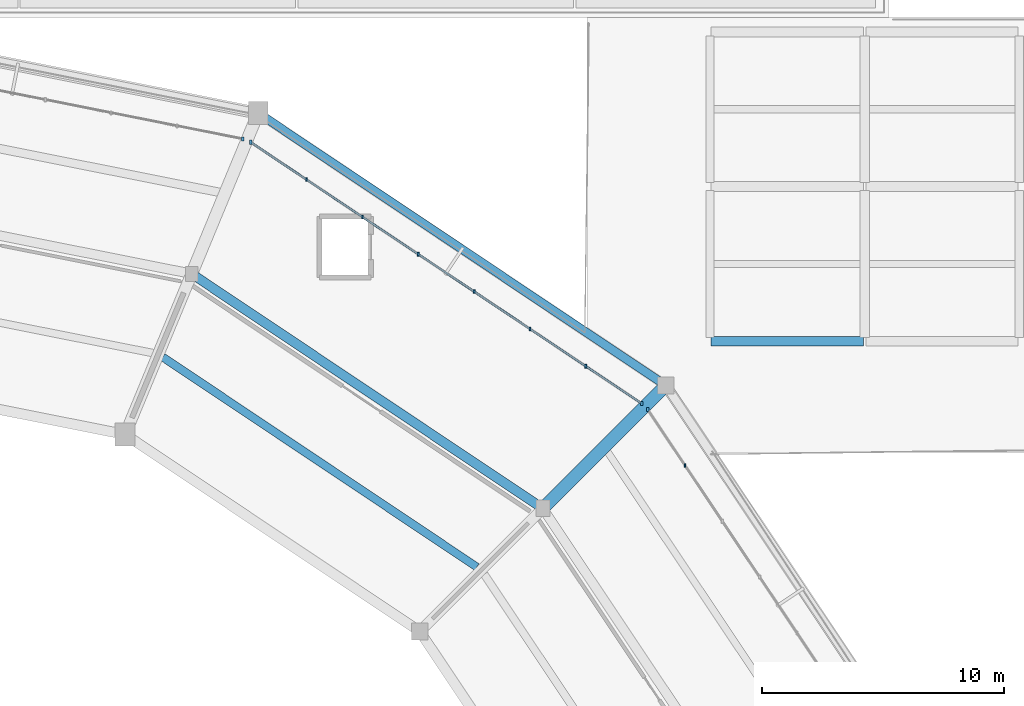
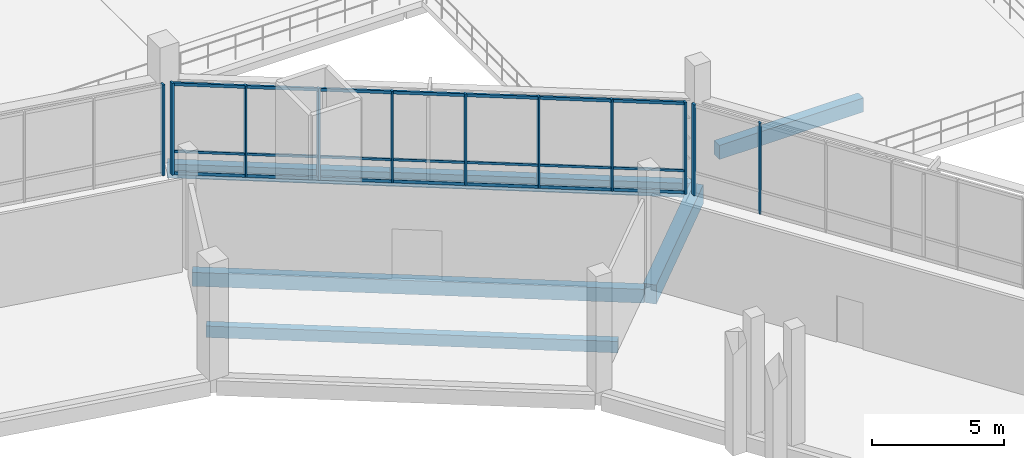
# One storey, part 57 of 111: 14 members, 5 beams, 3 elements without a shape of their own.
"""IFC4 building model written with IfcOpenShell, lengths in metres."""

from ifc_helpers import new_model, si_unit, direction, frame, origin, origin_2d, place, context, subcontext, project, spatial, rectangle, extrude, material, material_profile, profile_set, type_object, element, aggregate, save


model = new_model("IFC4")

# Units and contexts
model_context = context("Model", 3, precision=1e-05, world=origin(), true_north=direction((0.0, 1.0)))
body_context = subcontext(model_context, "Body", "Model", "MODEL_VIEW")
ifc_project = project(units=[si_unit("LENGTHUNIT", "METRE"), si_unit("AREAUNIT", "SQUARE_METRE"), si_unit("VOLUMEUNIT", "CUBIC_METRE"), si_unit("PLANEANGLEUNIT", "RADIAN"), si_unit("MASSUNIT", "GRAM", prefix="KILO")], contexts=[model_context])

# Site, building, storey
site_placement = place(None, origin())
site = spatial("IfcSite", under=ifc_project, at=site_placement, CompositionType="ELEMENT")
building_placement = place(site_placement, origin())
building = spatial("IfcBuilding", under=site, at=building_placement, Name="Candeia Ridge Stadium", CompositionType="ELEMENT")
storey_placement = place(building_placement, frame((0.0, 0.0, 16.199951171875)))
storey = spatial("IfcBuildingStorey", under=building, at=storey_placement, Name="L03", CompositionType="ELEMENT", Elevation=16.199951171875)

# Curtain wall, member
ifc_material_1 = material(Name="Aluminium Anodized Warm Bronze", Category="aluminium")
curtain_wall_type = type_object("IfcCurtainWallType", Name="Concourse Recessed Unitised Curtain Wall", PredefinedType="NOTDEFINED", material=ifc_material_1)
curtain_wall_1_placement = place(storey_placement, origin())
curtain_wall_1 = element("IfcCurtainWall", 1, at=curtain_wall_1_placement, inside=storey, type_object=curtain_wall_type, Name="Unitised curtain wall CW-BWL-L03-33", PredefinedType="NOTDEFINED")
ifc_material_profile_1 = material_profile(ifc_material_1, rectangle(XDim=0.090087890625, YDim=0.179931640625, at=origin_2d()), Name="CWM-90x180", Category="aluminium")
ifc_profile_set_1 = profile_set([ifc_material_profile_1], Name="Aluminium Anodized Warm Bronze")
member_type_1 = type_object("IfcMemberType", Name="Curtain Wall Primary Mullion 90x180", PredefinedType="MULLION", material=ifc_profile_set_1)
member_1_placement = place(storey_placement, frame((177.02099609375, 130.771484375, 0.0), z_axis=(0.0, 0.0, 1.0), x_axis=(1.0, 0.0, 0.0)))
member_1 = element("IfcMember", 2, at=member_1_placement, type_object=member_type_1, Name="Curtain wall mullion CW-BWL-L03-33-M7", PredefinedType="MULLION", context=body_context, shape_type="SweptSolid", body=[
    extrude(rectangle(XDim=0.090087890625, YDim=0.179931640625, at=origin_2d()), origin(), (0.0, 0.0, 1.0), 4.205078125),
])

# Curtain wall, members
curtain_wall_2_placement = place(storey_placement, origin())
curtain_wall_2 = element("IfcCurtainWall", 3, at=curtain_wall_2_placement, inside=storey, type_object=curtain_wall_type, Name="Unitised curtain wall CW-BWL-L03-34", PredefinedType="NOTDEFINED")
member_2_placement = place(storey_placement, frame((176.771484375, 131.02099609375, 0.0), z_axis=(0.0, 0.0, 1.0), x_axis=(1.0, 0.0, 0.0)))
member_2 = element("IfcMember", 4, at=member_2_placement, type_object=member_type_1, Name="Curtain wall mullion CW-BWL-L03-34-M0", PredefinedType="MULLION", context=body_context, shape_type="SweptSolid", body=[
    extrude(rectangle(XDim=0.090087890625, YDim=0.179931640625, at=origin_2d()), origin(), (0.0, 0.0, 1.0), 4.2451171875),
])
member_3_placement = place(storey_placement, frame((160.590087890625, 141.8330078125, 0.0), z_axis=(0.0, 0.0, 1.0), x_axis=(1.0, 0.0, 0.0)))
member_3 = element("IfcMember", 5, at=member_3_placement, type_object=member_type_1, Name="Curtain wall mullion CW-BWL-L03-34-M7", PredefinedType="MULLION", context=body_context, shape_type="SweptSolid", body=[
    extrude(rectangle(XDim=0.090087890625, YDim=0.179931640625, at=origin_2d()), origin(), (0.0, 0.0, 1.0), 4.2451171875),
])

# Curtain wall, member
curtain_wall_3_placement = place(storey_placement, origin())
curtain_wall_3 = element("IfcCurtainWall", 6, at=curtain_wall_3_placement, inside=storey, type_object=curtain_wall_type, Name="Unitised curtain wall CW-BWL-L03-35", PredefinedType="NOTDEFINED")
member_4_placement = place(storey_placement, frame((160.263916015625, 141.96826171875, 0.0), z_axis=(0.0, 0.0, 1.0), x_axis=(1.0, 0.0, 0.0)))
member_4 = element("IfcMember", 7, at=member_4_placement, type_object=member_type_1, Name="Curtain wall mullion CW-BWL-L03-35-M0", PredefinedType="MULLION", context=body_context, shape_type="SweptSolid", body=[
    extrude(rectangle(XDim=0.090087890625, YDim=0.179931640625, at=origin_2d()), origin(), (0.0, 0.0, 1.0), 4.205078125),
])
aggregate(curtain_wall_3, [member_4])

# Member
ifc_material_profile_2 = material_profile(ifc_material_1, rectangle(XDim=0.074951171875, YDim=0.14990234375, at=origin_2d()), Name="CWM-75x150", Category="aluminium")
ifc_profile_set_2 = profile_set([ifc_material_profile_2], Name="Aluminium Anodized Warm Bronze")
member_type_2 = type_object("IfcMemberType", Name="Curtain Wall Secondary Mullion 75x150", PredefinedType="MULLION", material=ifc_profile_set_2)
member_5_placement = place(storey_placement, frame((178.565673828125, 128.459716796875, 0.0), z_axis=(0.0, 0.0, 1.0), x_axis=(1.0, 0.0, 0.0)))
member_5 = element("IfcMember", 8, at=member_5_placement, type_object=member_type_2, Name="Curtain wall mullion CW-BWL-L03-33-M6", PredefinedType="MULLION", context=body_context, shape_type="SweptSolid", body=[
    extrude(rectangle(XDim=0.074951171875, YDim=0.14990234375, at=origin_2d()), origin(), (0.0, 0.0, 1.0), 4.205078125),
])

aggregate(curtain_wall_1, [member_5, member_1])

member_6_placement = place(storey_placement, frame((174.459716796875, 132.565673828125, 0.0), z_axis=(0.0, 0.0, 1.0), x_axis=(1.0, 0.0, 0.0)))
member_6 = element("IfcMember", 9, at=member_6_placement, type_object=member_type_2, Name="Curtain wall mullion CW-BWL-L03-34-M1", PredefinedType="MULLION", context=body_context, shape_type="SweptSolid", body=[
    extrude(rectangle(XDim=0.074951171875, YDim=0.14990234375, at=origin_2d()), origin(), (0.0, 0.0, 1.0), 4.2451171875),
])

member_7_placement = place(storey_placement, frame((172.148193359375, 134.110107421875, 0.0), z_axis=(0.0, 0.0, 1.0), x_axis=(1.0, 0.0, 0.0)))
member_7 = element("IfcMember", 10, at=member_7_placement, type_object=member_type_2, Name="Curtain wall mullion CW-BWL-L03-34-M2", PredefinedType="MULLION", context=body_context, shape_type="SweptSolid", body=[
    extrude(rectangle(XDim=0.074951171875, YDim=0.14990234375, at=origin_2d()), origin(), (0.0, 0.0, 1.0), 4.2451171875),
])

member_8_placement = place(storey_placement, frame((169.83642578125, 135.65478515625, 0.0), z_axis=(0.0, 0.0, 1.0), x_axis=(1.0, 0.0, 0.0)))
member_8 = element("IfcMember", 11, at=member_8_placement, type_object=member_type_2, Name="Curtain wall mullion CW-BWL-L03-34-M3", PredefinedType="MULLION", context=body_context, shape_type="SweptSolid", body=[
    extrude(rectangle(XDim=0.074951171875, YDim=0.14990234375, at=origin_2d()), origin(), (0.0, 0.0, 1.0), 4.2451171875),
])

member_9_placement = place(storey_placement, frame((167.52490234375, 137.19921875, 0.0), z_axis=(0.0, 0.0, 1.0), x_axis=(1.0, 0.0, 0.0)))
member_9 = element("IfcMember", 12, at=member_9_placement, type_object=member_type_2, Name="Curtain wall mullion CW-BWL-L03-34-M4", PredefinedType="MULLION", context=body_context, shape_type="SweptSolid", body=[
    extrude(rectangle(XDim=0.074951171875, YDim=0.14990234375, at=origin_2d()), origin(), (0.0, 0.0, 1.0), 4.2451171875),
])

member_10_placement = place(storey_placement, frame((165.21337890625, 138.743896484375, 0.0), z_axis=(0.0, 0.0, 1.0), x_axis=(1.0, 0.0, 0.0)))
member_10 = element("IfcMember", 13, at=member_10_placement, type_object=member_type_2, Name="Curtain wall mullion CW-BWL-L03-34-M5", PredefinedType="MULLION", context=body_context, shape_type="SweptSolid", body=[
    extrude(rectangle(XDim=0.074951171875, YDim=0.14990234375, at=origin_2d()), origin(), (0.0, 0.0, 1.0), 4.2451171875),
])

member_11_placement = place(storey_placement, frame((162.901611328125, 140.28857421875, 0.0), z_axis=(0.0, 0.0, 1.0), x_axis=(1.0, 0.0, 0.0)))
member_11 = element("IfcMember", 14, at=member_11_placement, type_object=member_type_2, Name="Curtain wall mullion CW-BWL-L03-34-M6", PredefinedType="MULLION", context=body_context, shape_type="SweptSolid", body=[
    extrude(rectangle(XDim=0.074951171875, YDim=0.14990234375, at=origin_2d()), origin(), (0.0, 0.0, 1.0), 4.2451171875),
])

ifc_material_profile_3 = material_profile(ifc_material_1, rectangle(XDim=0.074951171875, YDim=0.110107421875, at=origin_2d()), Name="CWT-75x110", Category="aluminium")
ifc_profile_set_3 = profile_set([ifc_material_profile_3], Name="Aluminium Anodized Warm Bronze")
member_type_3 = type_object("IfcMemberType", Name="Curtain Wall Secondary Transom 75x110", PredefinedType="USERDEFINED", material=ifc_profile_set_3)
member_12_placement = place(storey_placement, frame((176.771484375, 131.02099609375, 1.061279296875), z_axis=(-0.831470840517, 0.555568394863, 0.0), x_axis=(-0.555568394863, -0.831470840517, 0.0)))
member_12 = element("IfcMember", 15, at=member_12_placement, type_object=member_type_3, Name="Curtain wall transom CW-BWL-L03-34-T1", ObjectType="TRANSOM", PredefinedType="USERDEFINED", context=body_context, shape_type="SweptSolid", body=[
    extrude(rectangle(XDim=0.074951171875, YDim=0.110107421875, at=origin_2d()), origin(), (0.0, 0.0, 1.0), 19.461181640625),
])

ifc_material_profile_4 = material_profile(ifc_material_1, rectangle(XDim=0.090087890625, YDim=0.139892578125, at=origin_2d()), Name="CWT-90x140", Category="aluminium")
ifc_profile_set_4 = profile_set([ifc_material_profile_4], Name="Aluminium Anodized Warm Bronze")
member_type_4 = type_object("IfcMemberType", Name="Curtain Wall Transom 90x140", PredefinedType="USERDEFINED", material=ifc_profile_set_4)
member_13_placement = place(storey_placement, frame((176.771484375, 131.02099609375, 0.070068359375), z_axis=(-0.831470840517, 0.555568394863, 0.0), x_axis=(-0.555568394863, -0.831470840517, 0.0)))
member_13 = element("IfcMember", 16, at=member_13_placement, type_object=member_type_4, Name="Curtain wall transom CW-BWL-L03-34-T0", ObjectType="TRANSOM", PredefinedType="USERDEFINED", context=body_context, shape_type="SweptSolid", body=[
    extrude(rectangle(XDim=0.090087890625, YDim=0.139892578125, at=origin_2d()), origin(), (0.0, 0.0, 1.0), 19.461181640625),
])

member_14_placement = place(storey_placement, frame((176.771484375, 131.02099609375, 4.175048828125), z_axis=(-0.831470840517, 0.555568394863, 0.0), x_axis=(-0.555568394863, -0.831470840517, 0.0)))
member_14 = element("IfcMember", 17, at=member_14_placement, type_object=member_type_4, Name="Curtain wall transom CW-BWL-L03-34-T2", ObjectType="TRANSOM", PredefinedType="USERDEFINED", context=body_context, shape_type="SweptSolid", body=[
    extrude(rectangle(XDim=0.090087890625, YDim=0.139892578125, at=origin_2d()), origin(), (0.0, 0.0, 1.0), 19.461181640625),
])

aggregate(curtain_wall_2, [member_2, member_6, member_7, member_8, member_9, member_10, member_11, member_3, member_13, member_12, member_14])

# Beams
ifc_material_2 = material(Name="Concrete C40/50", Category="concrete")
ifc_material_profile_5 = material_profile(ifc_material_2, rectangle(XDim=0.330078125, YDim=0.530029296875, at=origin_2d()), Name="RC330x530", Category="concrete")
ifc_profile_set_5 = profile_set([ifc_material_profile_5], Name="Concrete C40/50")
beam_type_1 = type_object("IfcBeamType", Name="Floor Joist RC330x530", PredefinedType="JOIST", material=ifc_profile_set_5)
beam_1_placement = place(storey_placement, frame((169.9482421875, 124.256103515625, -0.514892578125), z_axis=(-0.831470752017, 0.555568527312, 0.0), x_axis=(-0.555568527312, -0.831470752017, 0.0)))
element("IfcBeam", 18, at=beam_1_placement, inside=storey, type_object=beam_type_1, Name="Concourse secondary joist BM-L03-0715", PredefinedType="JOIST", context=body_context, shape_type="SweptSolid", body=[
    extrude(rectangle(XDim=0.330078125, YDim=0.530029296875, at=origin_2d()), origin(), (0.0, 0.0, 1.0), 15.63134765625),
])
ifc_material_profile_6 = material_profile(ifc_material_2, rectangle(XDim=0.389892578125, YDim=0.639892578125, at=origin_2d()), Name="RC390x640", Category="concrete")
ifc_profile_set_6 = profile_set([ifc_material_profile_6], Name="Concrete C40/50")
beam_type_2 = type_object("IfcBeamType", Name="Frame Girder RC390x640", PredefinedType="BEAM", material=ifc_profile_set_6)
beam_2_placement = place(storey_placement, frame((172.54541015625, 126.767333984375, -0.570068359375), z_axis=(-0.831467614091, 0.555573223542, 0.0), x_axis=(-0.555573223542, -0.831467614091, 0.0)))
element("IfcBeam", 19, at=beam_2_placement, inside=storey, type_object=beam_type_2, Name="Concourse spine girder BM-L03-0713", PredefinedType="BEAM", context=body_context, shape_type="SweptSolid", body=[
    extrude(rectangle(XDim=0.389892578125, YDim=0.639892578125, at=origin_2d()), origin(), (0.0, 0.0, 1.0), 17.16015625),
])
ifc_material_3 = material(Name="Concrete C45/55", Category="concrete")
ifc_material_profile_7 = material_profile(ifc_material_3, rectangle(XDim=0.52001953125, YDim=0.8798828125, at=origin_2d()), Name="RC520x880", Category="concrete")
ifc_profile_set_7 = profile_set([ifc_material_profile_7], Name="Concrete C45/55")
beam_type_3 = type_object("IfcBeamType", Name="Frame Girder RC520x880", PredefinedType="BEAM", material=ifc_profile_set_7)
beam_3_placement = place(storey_placement, frame((172.79150390625, 126.79150390625, -0.68994140625), z_axis=(0.707106781187, 0.707106781187, 0.0), x_axis=(-0.707106781187, 0.707106781187, 0.0)))
element("IfcBeam", 20, at=beam_3_placement, inside=storey, type_object=beam_type_3, Name="Bowl radial girder BM-L03-0550", PredefinedType="BEAM", context=body_context, shape_type="SweptSolid", body=[
    extrude(rectangle(XDim=0.52001953125, YDim=0.8798828125, at=origin_2d()), origin(), (0.0, 0.0, 1.0), 6.880126953125),
])
ifc_material_profile_8 = material_profile(ifc_material_2, rectangle(XDim=0.35009765625, YDim=0.64990234375, at=origin_2d()), Name="RC350x650", Category="concrete")
ifc_profile_set_8 = profile_set([ifc_material_profile_8], Name="Concrete C40/50")
beam_type_4 = type_object("IfcBeamType", Name="Spandrel Beam RC350x650", PredefinedType="SPANDREL", material=ifc_profile_set_8)
beam_4_placement = place(storey_placement, frame((177.636474609375, 131.8583984375, -0.574951171875), z_axis=(-0.831468647505, 0.555571676938, 0.0), x_axis=(-0.555571676938, -0.831468647505, 0.0)))
element("IfcBeam", 21, at=beam_4_placement, inside=storey, type_object=beam_type_4, Name="Bowl perimeter spandrel BM-L03-0714", PredefinedType="SPANDREL", context=body_context, shape_type="SweptSolid", body=[
    extrude(rectangle(XDim=0.35009765625, YDim=0.64990234375, at=origin_2d()), origin(), (0.0, 0.0, 1.0), 19.969482421875),
])
ifc_material_profile_9 = material_profile(ifc_material_2, rectangle(XDim=0.39990234375, YDim=0.64990234375, at=origin_2d()), Name="RC400x650", Category="concrete")
ifc_profile_set_9 = profile_set([ifc_material_profile_9], Name="Concrete C40/50")
beam_type_5 = type_object("IfcBeamType", Name="Wing Primary Girder RC400x650", PredefinedType="BEAM", material=ifc_profile_set_9)
beam_5_placement = place(storey_placement, frame((179.64990234375, 133.60009765625, -0.574951171875), z_axis=(1.0, 0.0, 0.0), x_axis=(0.0, 1.0, 0.0)))
element("IfcBeam", 22, at=beam_5_placement, inside=storey, type_object=beam_type_5, Name="Structural girder BM-L03-2438", PredefinedType="BEAM", context=body_context, shape_type="SweptSolid", body=[
    extrude(rectangle(XDim=0.39990234375, YDim=0.64990234375, at=origin_2d()), origin(), (0.0, 0.0, 1.0), 6.300048828125),
])

save(model, "model.ifc")
